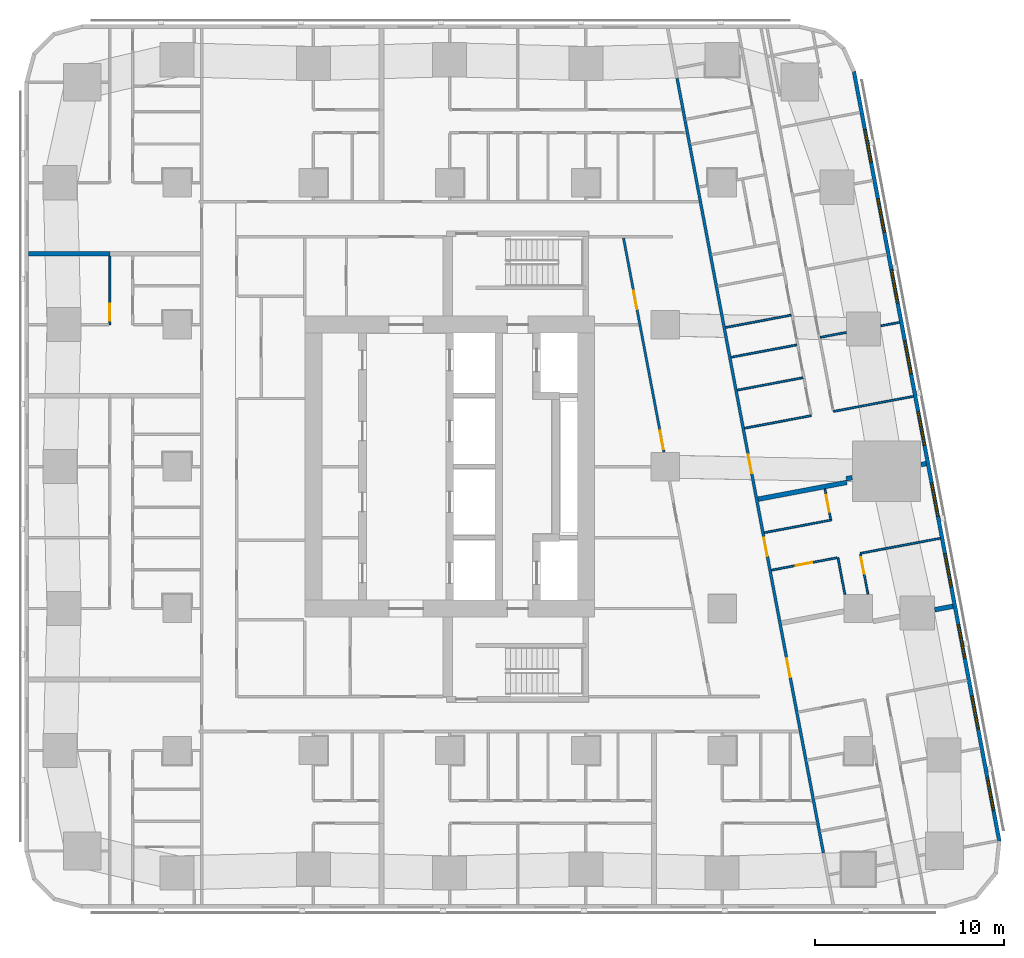
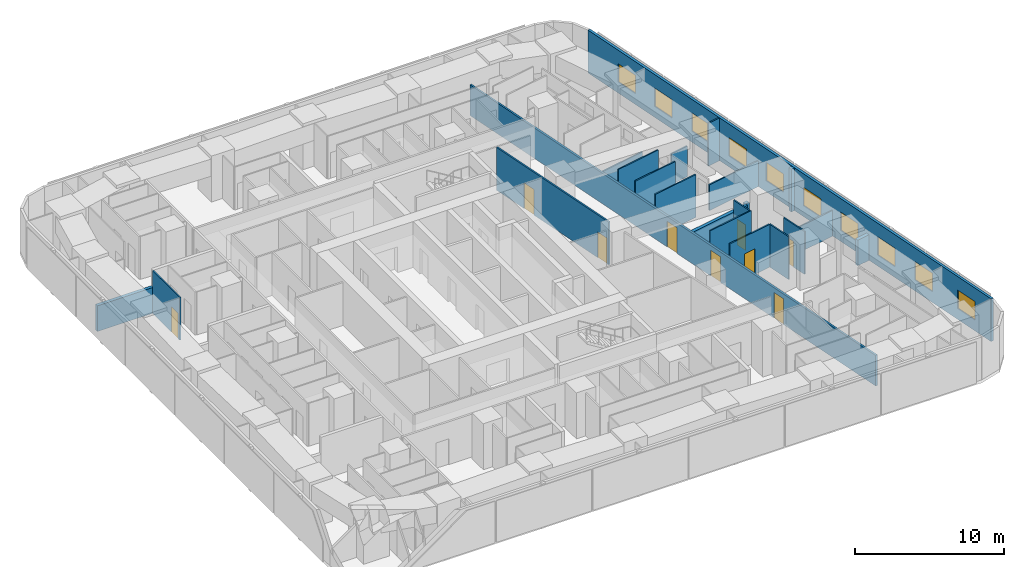
# One storey, part 8 of 15: 22 walls, 10 windows, 9 doors, 19 openings.
"""IFC4 building model written with IfcOpenShell, lengths in metres."""

from ifc_helpers import new_model, si_unit, direction, frame, frame_2d, origin, place, context, subcontext, project, spatial, rectangle, extrude, material, layer, layer_set, type_object, element, fill, save


model = new_model("IFC4")

# Units and contexts
model_context = context("Model", 3, precision=1e-05, world=origin(), true_north=direction((0.0, 1.0)))
body_context = subcontext(model_context, "Body", "Model", "MODEL_VIEW")
ifc_project = project(units=[si_unit("LENGTHUNIT", "METRE"), si_unit("AREAUNIT", "SQUARE_METRE"), si_unit("VOLUMEUNIT", "CUBIC_METRE"), si_unit("PLANEANGLEUNIT", "RADIAN"), si_unit("MASSUNIT", "GRAM", prefix="KILO")], contexts=[model_context])

# Site, building, storey
site_placement = place(None, origin())
site = spatial("IfcSite", under=ifc_project, at=site_placement, CompositionType="ELEMENT")
building_placement = place(site_placement, origin())
building = spatial("IfcBuilding", under=site, at=building_placement, Name="Sheger Commons Tower", CompositionType="ELEMENT")
storey_placement = place(building_placement, frame((0.0, 0.0, 143.300048828125)))
storey = spatial("IfcBuildingStorey", under=building, at=storey_placement, Name="L36", CompositionType="ELEMENT", Elevation=143.300048828125)

# Wall, openings, doors
ifc_material_1 = material(Name="Hollow concrete block masonry, skimmed both sides", Category="masonry")
ifc_layer_1 = layer(ifc_material_1, 0.14990234375)
ifc_layer_set_1 = layer_set([ifc_layer_1], Name="CORRIDOR WALL 150")
wall_type_1 = type_object("IfcWallType", Name="CORRIDOR WALL 150", PredefinedType="SOLIDWALL", material=ifc_layer_set_1)
wall_1_placement = place(storey_placement, frame((33.623046875, 43.02197265625, 0.0), z_axis=(0.0, 0.0, 1.0), x_axis=(0.185596841028, -0.98262597798, 0.0)))
wall_1 = element("IfcWall", 1, at=wall_1_placement, inside=storey, type_object=wall_type_1, Name="Corridor wall L36", PredefinedType="SOLIDWALL", context=body_context, shape_type="SweptSolid", body=[
    extrude(rectangle(XDim=41.659912109375, YDim=0.14990234375, at=frame_2d((20.830078125, 0.0))), origin(), (0.0, 0.0, 1.0), 2.5),
])
opening_1_placement = place(wall_1_placement, frame((20.241943359375, 0.0, 0.0)))
opening_1 = element("IfcOpeningElement", 2, at=opening_1_placement, cuts=wall_1, Name="Opening D1", PredefinedType="OPENING", context=body_context, shape_type="SweptSolid", body=[
    extrude(rectangle(XDim=1.0, YDim=2.10009765625, at=frame_2d((0.5, 1.050048828125))), frame((0.0, 0.0849609375, 0.0), z_axis=(0.0, -1.0, 0.0), x_axis=(1.0, 0.0, 0.0)), (0.0, 0.0, 1.0), 0.169921875),
])
opening_2_placement = place(wall_1_placement, frame((24.714111328125, 0.0, 0.0)))
opening_2 = element("IfcOpeningElement", 3, at=opening_2_placement, cuts=wall_1, Name="Opening D1", PredefinedType="OPENING", context=body_context, shape_type="SweptSolid", body=[
    extrude(rectangle(XDim=1.0, YDim=2.10009765625, at=frame_2d((0.5, 1.050048828125))), frame((0.0, 0.0849609375, 0.0), z_axis=(0.0, -1.0, 0.0), x_axis=(1.0, 0.0, 0.0)), (0.0, 0.0, 1.0), 0.169921875),
])
opening_3_placement = place(wall_1_placement, frame((31.2060546875, 0.0, 0.0)))
opening_3 = element("IfcOpeningElement", 4, at=opening_3_placement, cuts=wall_1, Name="Opening D1", PredefinedType="OPENING", context=body_context, shape_type="SweptSolid", body=[
    extrude(rectangle(XDim=1.0, YDim=2.10009765625, at=frame_2d((0.5, 1.050048828125))), frame((0.0, 0.0849609375, 0.0), z_axis=(0.0, -1.0, 0.0), x_axis=(1.0, 0.0, 0.0)), (0.0, 0.0, 1.0), 0.169921875),
])
ifc_material_2 = material(Name="Steel door set, fire rated", Category="steel")
door_type_1 = type_object("IfcDoorType", Name="FLAT ENTRANCE DOOR 1000x2100", OperationType="NOTDEFINED", PredefinedType="DOOR", material=ifc_material_2)
door_1_placement = place(opening_1_placement, origin())
door_1 = element("IfcDoor", 5, at=door_1_placement, inside=storey, type_object=door_type_1, Name="Flat entrance door", OperationType="SINGLE_SWING_RIGHT", OverallHeight=2.10009765625, OverallWidth=1.0, PredefinedType="DOOR", context=body_context, shape_type="SweptSolid", body=[
    extrude(rectangle(XDim=1.0, YDim=2.10009765625, at=frame_2d((0.5, 1.050048828125))), frame((0.0, 0.02490234375, 0.0), z_axis=(0.0, -1.0, 0.0), x_axis=(1.0, 0.0, 0.0)), (0.0, 0.0, 1.0), 0.050048828125),
])
fill(opening_1, door_1)
door_2_placement = place(opening_2_placement, origin())
door_2 = element("IfcDoor", 6, at=door_2_placement, inside=storey, type_object=door_type_1, Name="Flat entrance door", OperationType="SINGLE_SWING_LEFT", OverallHeight=2.10009765625, OverallWidth=1.0, PredefinedType="DOOR", context=body_context, shape_type="SweptSolid", body=[
    extrude(rectangle(XDim=1.0, YDim=2.10009765625, at=frame_2d((0.5, 1.050048828125))), frame((0.0, 0.02490234375, 0.0), z_axis=(0.0, -1.0, 0.0), x_axis=(1.0, 0.0, 0.0)), (0.0, 0.0, 1.0), 0.050048828125),
])
fill(opening_2, door_2)
door_3_placement = place(opening_3_placement, origin())
door_3 = element("IfcDoor", 7, at=door_3_placement, inside=storey, type_object=door_type_1, Name="Flat entrance door", OperationType="SINGLE_SWING_LEFT", OverallHeight=2.10009765625, OverallWidth=1.0, PredefinedType="DOOR", context=body_context, shape_type="SweptSolid", body=[
    extrude(rectangle(XDim=1.0, YDim=2.10009765625, at=frame_2d((0.5, 1.050048828125))), frame((0.0, 0.02490234375, 0.0), z_axis=(0.0, -1.0, 0.0), x_axis=(1.0, 0.0, 0.0)), (0.0, 0.0, 1.0), 0.050048828125),
])
fill(opening_3, door_3)

# Walls
ifc_material_3 = material(Name="Dense concrete block masonry, plastered both sides (separating wall between flats)", Category="masonry")
ifc_layer_2 = layer(ifc_material_3, 0.25)
ifc_layer_set_2 = layer_set([ifc_layer_2], Name="DEMISING WALL 250")
wall_type_2 = type_object("IfcWallType", Name="DEMISING WALL 250", PredefinedType="SOLIDWALL", material=ifc_layer_set_2)
wall_2_placement = place(storey_placement, frame((-0.64990234375, 33.75, 0.0), z_axis=(0.0, 0.0, 1.0), x_axis=(1.0, 0.0, 0.0)))
element("IfcWall", 8, at=wall_2_placement, inside=storey, type_object=wall_type_2, Name="Demising wall L36", PredefinedType="SOLIDWALL", context=body_context, shape_type="SweptSolid", body=[
    extrude(rectangle(XDim=4.2998046875, YDim=0.25, at=frame_2d((2.14990234375, 0.0))), origin(), (0.0, 0.0, 1.0), 2.099853515625),
])
wall_3_placement = place(storey_placement, frame((46.781982421875, 22.656982421875, 0.0), z_axis=(0.0, 0.0, 1.0), x_axis=(-0.982104607121, -0.188336243648, 0.0)))
element("IfcWall", 9, at=wall_3_placement, inside=storey, type_object=wall_type_2, Name="Demising wall L36", PredefinedType="SOLIDWALL", context=body_context, shape_type="SweptSolid", body=[
    extrude(rectangle(XDim=0.265625, YDim=0.25, at=frame_2d((0.1328125, 0.0))), origin(), (0.0, 0.0, 1.0), 3.5),
])
wall_4_placement = place(storey_placement, frame((42.873046875, 21.91796875, 0.0), z_axis=(0.0, 0.0, 1.0), x_axis=(-0.982431406936, -0.186624035603, 0.0)))
element("IfcWall", 10, at=wall_4_placement, inside=storey, type_object=wall_type_2, Name="Demising wall L36", PredefinedType="SOLIDWALL", context=body_context, shape_type="SweptSolid", body=[
    extrude(rectangle(XDim=0.32177734375, YDim=0.25, at=frame_2d((0.160888671875, 0.0))), origin(), (0.0, 0.0, 1.0), 2.5),
])
wall_5_placement = place(storey_placement, frame((42.593017578125, 21.6650390625, 0.0), z_axis=(0.0, 0.0, 1.0), x_axis=(-0.982635807605, -0.185544791394, 0.0)))
element("IfcWall", 11, at=wall_5_placement, inside=storey, type_object=wall_type_2, Name="Demising wall L36", PredefinedType="SOLIDWALL", context=body_context, shape_type="SweptSolid", body=[
    extrude(rectangle(XDim=4.775146484375, YDim=0.25, at=frame_2d((2.3876953125, 0.0))), origin(), (0.0, 0.0, 1.0), 2.5),
])
wall_6_placement = place(storey_placement, frame((48.2060546875, 15.1201171875, 0.0), z_axis=(0.0, 0.0, 1.0), x_axis=(-0.982576361834, -0.185859337043, 0.0)))
element("IfcWall", 12, at=wall_6_placement, inside=storey, type_object=wall_type_2, Name="Demising wall L36", PredefinedType="SOLIDWALL", context=body_context, shape_type="SweptSolid", body=[
    extrude(rectangle(XDim=0.985107421875, YDim=0.25, at=frame_2d((0.49267578125, 0.0))), origin(), (0.0, 0.0, 1.0), 2.099853515625),
])

# Wall, openings, windows
ifc_material_4 = material(Name="Rendered concrete block masonry, dark grey", Category="masonry")
ifc_layer_3 = layer(ifc_material_4, 0.199951171875)
ifc_layer_set_3 = layer_set([ifc_layer_3], Name="FACADE WALL 200")
wall_type_3 = type_object("IfcWallType", Name="FACADE WALL 200", PredefinedType="SOLIDWALL", material=ifc_layer_set_3)
wall_7_placement = place(storey_placement, frame((50.653076171875, 2.702880859375, 0.0), z_axis=(0.0, 0.0, 1.0), x_axis=(-0.185612026696, 0.982623109613, 0.0)))
wall_7 = element("IfcWall", 13, at=wall_7_placement, inside=storey, type_object=wall_type_3, Name="Facade wall L36", PredefinedType="SOLIDWALL", context=body_context, shape_type="SweptSolid", body=[
    extrude(rectangle(XDim=41.393310546875, YDim=0.199951171875, at=frame_2d((20.69677734375, 0.0))), origin(), (0.0, 0.0, 1.0), 3.5),
])
opening_4_placement = place(wall_7_placement, frame((1.633056640625, 0.0, 0.89990234375)))
opening_4 = element("IfcOpeningElement", 14, at=opening_4_placement, cuts=wall_7, Name="Opening W2", PredefinedType="OPENING", context=body_context, shape_type="SweptSolid", body=[
    extrude(rectangle(XDim=1.800048828125, YDim=1.5, at=frame_2d((0.89990234375, 0.75))), frame((0.0, 0.10986328125, 0.0), z_axis=(0.0, -1.0, 0.0), x_axis=(1.0, 0.0, 0.0)), (0.0, 0.0, 1.0), 0.219970703125),
])
opening_5_placement = place(wall_7_placement, frame((6.031982421875, 0.0, 0.89990234375)))
opening_5 = element("IfcOpeningElement", 15, at=opening_5_placement, cuts=wall_7, Name="Opening W2", PredefinedType="OPENING", context=body_context, shape_type="SweptSolid", body=[
    extrude(rectangle(XDim=1.800048828125, YDim=1.5, at=frame_2d((0.89990234375, 0.75))), frame((0.0, 0.10986328125, 0.0), z_axis=(0.0, -1.0, 0.0), x_axis=(1.0, 0.0, 0.0)), (0.0, 0.0, 1.0), 0.219970703125),
])
opening_6_placement = place(wall_7_placement, frame((9.847900390625, 0.0, 0.89990234375)))
opening_6 = element("IfcOpeningElement", 16, at=opening_6_placement, cuts=wall_7, Name="Opening W2", PredefinedType="OPENING", context=body_context, shape_type="SweptSolid", body=[
    extrude(rectangle(XDim=1.800048828125, YDim=1.5, at=frame_2d((0.89990234375, 0.75))), frame((0.0, 0.10986328125, 0.0), z_axis=(0.0, -1.0, 0.0), x_axis=(1.0, 0.0, 0.0)), (0.0, 0.0, 1.0), 0.219970703125),
])
opening_7_placement = place(wall_7_placement, frame((13.6640625, 0.0, 0.89990234375)))
opening_7 = element("IfcOpeningElement", 17, at=opening_7_placement, cuts=wall_7, Name="Opening W2", PredefinedType="OPENING", context=body_context, shape_type="SweptSolid", body=[
    extrude(rectangle(XDim=1.800048828125, YDim=1.5, at=frame_2d((0.89990234375, 0.75))), frame((0.0, 0.10986328125, 0.0), z_axis=(0.0, -1.0, 0.0), x_axis=(1.0, 0.0, 0.0)), (0.0, 0.0, 1.0), 0.219970703125),
])
opening_8_placement = place(wall_7_placement, frame((17.48095703125, 0.0, 0.89990234375)))
opening_8 = element("IfcOpeningElement", 18, at=opening_8_placement, cuts=wall_7, Name="Opening W2", PredefinedType="OPENING", context=body_context, shape_type="SweptSolid", body=[
    extrude(rectangle(XDim=1.800048828125, YDim=1.5, at=frame_2d((0.89990234375, 0.75))), frame((0.0, 0.10986328125, 0.0), z_axis=(0.0, -1.0, 0.0), x_axis=(1.0, 0.0, 0.0)), (0.0, 0.0, 1.0), 0.219970703125),
])
opening_9_placement = place(wall_7_placement, frame((21.297119140625, 0.0, 0.89990234375)))
opening_9 = element("IfcOpeningElement", 19, at=opening_9_placement, cuts=wall_7, Name="Opening W2", PredefinedType="OPENING", context=body_context, shape_type="SweptSolid", body=[
    extrude(rectangle(XDim=1.800048828125, YDim=1.5, at=frame_2d((0.89990234375, 0.75))), frame((0.0, 0.10986328125, 0.0), z_axis=(0.0, -1.0, 0.0), x_axis=(1.0, 0.0, 0.0)), (0.0, 0.0, 1.0), 0.219970703125),
])
opening_10_placement = place(wall_7_placement, frame((25.113037109375, 0.0, 0.89990234375)))
opening_10 = element("IfcOpeningElement", 20, at=opening_10_placement, cuts=wall_7, Name="Opening W2", PredefinedType="OPENING", context=body_context, shape_type="SweptSolid", body=[
    extrude(rectangle(XDim=1.800048828125, YDim=1.5, at=frame_2d((0.89990234375, 0.75))), frame((0.0, 0.10986328125, 0.0), z_axis=(0.0, -1.0, 0.0), x_axis=(1.0, 0.0, 0.0)), (0.0, 0.0, 1.0), 0.219970703125),
])
opening_11_placement = place(wall_7_placement, frame((28.929931640625, 0.0, 0.89990234375)))
opening_11 = element("IfcOpeningElement", 21, at=opening_11_placement, cuts=wall_7, Name="Opening W2", PredefinedType="OPENING", context=body_context, shape_type="SweptSolid", body=[
    extrude(rectangle(XDim=1.800048828125, YDim=1.5, at=frame_2d((0.89990234375, 0.75))), frame((0.0, 0.10986328125, 0.0), z_axis=(0.0, -1.0, 0.0), x_axis=(1.0, 0.0, 0.0)), (0.0, 0.0, 1.0), 0.219970703125),
])
opening_12_placement = place(wall_7_placement, frame((32.74609375, 0.0, 0.89990234375)))
opening_12 = element("IfcOpeningElement", 22, at=opening_12_placement, cuts=wall_7, Name="Opening W2", PredefinedType="OPENING", context=body_context, shape_type="SweptSolid", body=[
    extrude(rectangle(XDim=1.800048828125, YDim=1.5, at=frame_2d((0.89990234375, 0.75))), frame((0.0, 0.10986328125, 0.0), z_axis=(0.0, -1.0, 0.0), x_axis=(1.0, 0.0, 0.0)), (0.0, 0.0, 1.0), 0.219970703125),
])
opening_13_placement = place(wall_7_placement, frame((36.48095703125, 0.0, 0.89990234375)))
opening_13 = element("IfcOpeningElement", 23, at=opening_13_placement, cuts=wall_7, Name="Opening W2", PredefinedType="OPENING", context=body_context, shape_type="SweptSolid", body=[
    extrude(rectangle(XDim=1.800048828125, YDim=1.5, at=frame_2d((0.89990234375, 0.75))), frame((0.0, 0.10986328125, 0.0), z_axis=(0.0, -1.0, 0.0), x_axis=(1.0, 0.0, 0.0)), (0.0, 0.0, 1.0), 0.219970703125),
])
ifc_material_5 = material(Name="Black aluminium frame, dark tinted double glazing", Category="aluminium")
window_type = type_object("IfcWindowType", Name="WINDOW W2 1800x1500", PartitioningType="SINGLE_PANEL", PredefinedType="WINDOW", material=ifc_material_5)
window_1_placement = place(opening_4_placement, origin())
window_1 = element("IfcWindow", 24, at=window_1_placement, inside=storey, type_object=window_type, Name="Window W2 1800X1500", OverallHeight=1.5, OverallWidth=1.800048828125, PartitioningType="SINGLE_PANEL", PredefinedType="WINDOW", context=body_context, shape_type="SweptSolid", body=[
    extrude(rectangle(XDim=1.800048828125, YDim=1.5, at=frame_2d((0.89990234375, 0.75))), frame((0.0, 0.030029296875, 0.0), z_axis=(0.0, -1.0, 0.0), x_axis=(1.0, 0.0, 0.0)), (0.0, 0.0, 1.0), 0.06005859375),
])
fill(opening_4, window_1)
window_2_placement = place(opening_5_placement, origin())
window_2 = element("IfcWindow", 25, at=window_2_placement, inside=storey, type_object=window_type, Name="Window W2 1800X1500", OverallHeight=1.5, OverallWidth=1.800048828125, PartitioningType="SINGLE_PANEL", PredefinedType="WINDOW", context=body_context, shape_type="SweptSolid", body=[
    extrude(rectangle(XDim=1.800048828125, YDim=1.5, at=frame_2d((0.89990234375, 0.75))), frame((0.0, 0.030029296875, 0.0), z_axis=(0.0, -1.0, 0.0), x_axis=(1.0, 0.0, 0.0)), (0.0, 0.0, 1.0), 0.06005859375),
])
fill(opening_5, window_2)
window_3_placement = place(opening_6_placement, origin())
window_3 = element("IfcWindow", 26, at=window_3_placement, inside=storey, type_object=window_type, Name="Window W2 1800X1500", OverallHeight=1.5, OverallWidth=1.800048828125, PartitioningType="SINGLE_PANEL", PredefinedType="WINDOW", context=body_context, shape_type="SweptSolid", body=[
    extrude(rectangle(XDim=1.800048828125, YDim=1.5, at=frame_2d((0.89990234375, 0.75))), frame((0.0, 0.030029296875, 0.0), z_axis=(0.0, -1.0, 0.0), x_axis=(1.0, 0.0, 0.0)), (0.0, 0.0, 1.0), 0.06005859375),
])
fill(opening_6, window_3)
window_4_placement = place(opening_7_placement, origin())
window_4 = element("IfcWindow", 27, at=window_4_placement, inside=storey, type_object=window_type, Name="Window W2 1800X1500", OverallHeight=1.5, OverallWidth=1.800048828125, PartitioningType="SINGLE_PANEL", PredefinedType="WINDOW", context=body_context, shape_type="SweptSolid", body=[
    extrude(rectangle(XDim=1.800048828125, YDim=1.5, at=frame_2d((0.89990234375, 0.75))), frame((0.0, 0.030029296875, 0.0), z_axis=(0.0, -1.0, 0.0), x_axis=(1.0, 0.0, 0.0)), (0.0, 0.0, 1.0), 0.06005859375),
])
fill(opening_7, window_4)
window_5_placement = place(opening_8_placement, origin())
window_5 = element("IfcWindow", 28, at=window_5_placement, inside=storey, type_object=window_type, Name="Window W2 1800X1500", OverallHeight=1.5, OverallWidth=1.800048828125, PartitioningType="SINGLE_PANEL", PredefinedType="WINDOW", context=body_context, shape_type="SweptSolid", body=[
    extrude(rectangle(XDim=1.800048828125, YDim=1.5, at=frame_2d((0.89990234375, 0.75))), frame((0.0, 0.030029296875, 0.0), z_axis=(0.0, -1.0, 0.0), x_axis=(1.0, 0.0, 0.0)), (0.0, 0.0, 1.0), 0.06005859375),
])
fill(opening_8, window_5)
window_6_placement = place(opening_9_placement, origin())
window_6 = element("IfcWindow", 29, at=window_6_placement, inside=storey, type_object=window_type, Name="Window W2 1800X1500", OverallHeight=1.5, OverallWidth=1.800048828125, PartitioningType="SINGLE_PANEL", PredefinedType="WINDOW", context=body_context, shape_type="SweptSolid", body=[
    extrude(rectangle(XDim=1.800048828125, YDim=1.5, at=frame_2d((0.89990234375, 0.75))), frame((0.0, 0.030029296875, 0.0), z_axis=(0.0, -1.0, 0.0), x_axis=(1.0, 0.0, 0.0)), (0.0, 0.0, 1.0), 0.06005859375),
])
fill(opening_9, window_6)
window_7_placement = place(opening_10_placement, origin())
window_7 = element("IfcWindow", 30, at=window_7_placement, inside=storey, type_object=window_type, Name="Window W2 1800X1500", OverallHeight=1.5, OverallWidth=1.800048828125, PartitioningType="SINGLE_PANEL", PredefinedType="WINDOW", context=body_context, shape_type="SweptSolid", body=[
    extrude(rectangle(XDim=1.800048828125, YDim=1.5, at=frame_2d((0.89990234375, 0.75))), frame((0.0, 0.030029296875, 0.0), z_axis=(0.0, -1.0, 0.0), x_axis=(1.0, 0.0, 0.0)), (0.0, 0.0, 1.0), 0.06005859375),
])
fill(opening_10, window_7)
window_8_placement = place(opening_11_placement, origin())
window_8 = element("IfcWindow", 31, at=window_8_placement, inside=storey, type_object=window_type, Name="Window W2 1800X1500", OverallHeight=1.5, OverallWidth=1.800048828125, PartitioningType="SINGLE_PANEL", PredefinedType="WINDOW", context=body_context, shape_type="SweptSolid", body=[
    extrude(rectangle(XDim=1.800048828125, YDim=1.5, at=frame_2d((0.89990234375, 0.75))), frame((0.0, 0.030029296875, 0.0), z_axis=(0.0, -1.0, 0.0), x_axis=(1.0, 0.0, 0.0)), (0.0, 0.0, 1.0), 0.06005859375),
])
fill(opening_11, window_8)
window_9_placement = place(opening_12_placement, origin())
window_9 = element("IfcWindow", 32, at=window_9_placement, inside=storey, type_object=window_type, Name="Window W2 1800X1500", OverallHeight=1.5, OverallWidth=1.800048828125, PartitioningType="SINGLE_PANEL", PredefinedType="WINDOW", context=body_context, shape_type="SweptSolid", body=[
    extrude(rectangle(XDim=1.800048828125, YDim=1.5, at=frame_2d((0.89990234375, 0.75))), frame((0.0, 0.030029296875, 0.0), z_axis=(0.0, -1.0, 0.0), x_axis=(1.0, 0.0, 0.0)), (0.0, 0.0, 1.0), 0.06005859375),
])
fill(opening_12, window_9)
window_10_placement = place(opening_13_placement, origin())
window_10 = element("IfcWindow", 33, at=window_10_placement, inside=storey, type_object=window_type, Name="Window W2 1800X1500", OverallHeight=1.5, OverallWidth=1.800048828125, PartitioningType="SINGLE_PANEL", PredefinedType="WINDOW", context=body_context, shape_type="SweptSolid", body=[
    extrude(rectangle(XDim=1.800048828125, YDim=1.5, at=frame_2d((0.89990234375, 0.75))), frame((0.0, 0.030029296875, 0.0), z_axis=(0.0, -1.0, 0.0), x_axis=(1.0, 0.0, 0.0)), (0.0, 0.0, 1.0), 0.06005859375),
])
fill(opening_13, window_10)

# Wall, opening, door
ifc_material_6 = material(Name="Gypsum board on steel studs", Category="steel")
ifc_layer_4 = layer(ifc_material_6, 0.10009765625)
ifc_layer_set_4 = layer_set([ifc_layer_4], Name="PARTITION 100")
wall_type_4 = type_object("IfcWallType", Name="PARTITION 100", PredefinedType="PARTITIONING", material=ifc_layer_set_4)
wall_8_placement = place(storey_placement, frame((3.64990234375, 30.0, 0.0), z_axis=(0.0, 0.0, 1.0), x_axis=(0.0, 1.0, 0.0)))
wall_8 = element("IfcWall", 34, at=wall_8_placement, inside=storey, type_object=wall_type_4, Name="Partition L36", PredefinedType="PARTITIONING", context=body_context, shape_type="SweptSolid", body=[
    extrude(rectangle(XDim=3.625, YDim=0.10009765625, at=frame_2d((1.8125, 0.0))), origin(), (0.0, 0.0, 1.0), 3.5),
])
opening_14_placement = place(wall_8_placement, frame((0.199951171875, 0.0, 0.0)))
opening_14 = element("IfcOpeningElement", 35, at=opening_14_placement, cuts=wall_8, Name="Opening D2", PredefinedType="OPENING", context=body_context, shape_type="SweptSolid", body=[
    extrude(rectangle(XDim=0.89990234375, YDim=2.10009765625, at=frame_2d((0.449951171875, 1.050048828125))), frame((0.0, 0.06005859375, 0.0), z_axis=(0.0, -1.0, 0.0), x_axis=(1.0, 0.0, 0.0)), (0.0, 0.0, 1.0), 0.1201171875),
])
ifc_material_7 = material(Name="Timber door set", Category="wood")
door_type_2 = type_object("IfcDoorType", Name="INTERNAL DOOR 900x2100", OperationType="NOTDEFINED", PredefinedType="DOOR", material=ifc_material_7)
door_4_placement = place(opening_14_placement, origin())
door_4 = element("IfcDoor", 36, at=door_4_placement, inside=storey, type_object=door_type_2, Name="Main bedroom door", OperationType="SINGLE_SWING_LEFT", OverallHeight=2.10009765625, OverallWidth=0.89990234375, PredefinedType="DOOR", context=body_context, shape_type="SweptSolid", body=[
    extrude(rectangle(XDim=0.89990234375, YDim=2.10009765625, at=frame_2d((0.449951171875, 1.050048828125))), frame((0.0, 0.02490234375, 0.0), z_axis=(0.0, -1.0, 0.0), x_axis=(1.0, 0.0, 0.0)), (0.0, 0.0, 1.0), 0.050048828125),
])
fill(opening_14, door_4)

# Walls
wall_9_placement = place(storey_placement, frame((45.3720703125, 30.12109375, 0.0), z_axis=(0.0, 0.0, 1.0), x_axis=(-0.982708646087, -0.185158626332, 0.0)))
element("IfcWall", 37, at=wall_9_placement, inside=storey, type_object=wall_type_4, Name="Partition L36", PredefinedType="PARTITIONING", context=body_context, shape_type="SweptSolid", body=[
    extrude(rectangle(XDim=0.99951171875, YDim=0.10009765625, at=frame_2d((0.499755859375, 0.0))), origin(), (0.0, 0.0, 1.0), 3.5),
])
wall_10_placement = place(storey_placement, frame((42.570068359375, 29.592041015625, 0.0), z_axis=(0.0, 0.0, 1.0), x_axis=(-0.982562488259, -0.185932667021, 0.0)))
element("IfcWall", 38, at=wall_10_placement, inside=storey, type_object=wall_type_4, Name="Partition L36", PredefinedType="PARTITIONING", context=body_context, shape_type="SweptSolid", body=[
    extrude(rectangle(XDim=1.3984375, YDim=0.10009765625, at=frame_2d((0.69921875, 0.0))), origin(), (0.0, 0.0, 1.0), 2.5),
])
wall_11_placement = place(storey_placement, frame((46.110107421875, 26.212890625, 0.0), z_axis=(0.0, 0.0, 1.0), x_axis=(-0.982633535512, -0.185556823879, 0.0)))
element("IfcWall", 39, at=wall_11_placement, inside=storey, type_object=wall_type_4, Name="Partition L36", PredefinedType="PARTITIONING", context=body_context, shape_type="SweptSolid", body=[
    extrude(rectangle(XDim=4.2998046875, YDim=0.10009765625, at=frame_2d((2.14990234375, 0.0))), origin(), (0.0, 0.0, 1.0), 2.099853515625),
])
wall_12_placement = place(storey_placement, frame((39.947998046875, 28.931884765625, 0.0), z_axis=(0.0, 0.0, 1.0), x_axis=(-0.98265117712, -0.185463376723, 0.0)))
element("IfcWall", 40, at=wall_12_placement, inside=storey, type_object=wall_type_4, Name="Partition L36", PredefinedType="PARTITIONING", context=body_context, shape_type="SweptSolid", body=[
    extrude(rectangle(XDim=3.525390625, YDim=0.10009765625, at=frame_2d((1.7626953125, 0.0))), origin(), (0.0, 0.0, 1.0), 3.5),
])
wall_13_placement = place(storey_placement, frame((40.7060546875, 25.19189453125, 0.0), z_axis=(0.0, 0.0, 1.0), x_axis=(-0.982610675728, -0.185677839134, 0.0)))
element("IfcWall", 41, at=wall_13_placement, inside=storey, type_object=wall_type_4, Name="Partition L36", PredefinedType="PARTITIONING", context=body_context, shape_type="SweptSolid", body=[
    extrude(rectangle(XDim=3.5751953125, YDim=0.10009765625, at=frame_2d((1.78759765625, 0.0))), origin(), (0.0, 0.0, 1.0), 3.5),
])
wall_14_placement = place(storey_placement, frame((40.27587890625, 27.197021484375, 0.0), z_axis=(0.0, 0.0, 1.0), x_axis=(-0.982636169624, -0.185542874149, 0.0)))
element("IfcWall", 42, at=wall_14_placement, inside=storey, type_object=wall_type_4, Name="Partition L36", PredefinedType="PARTITIONING", context=body_context, shape_type="SweptSolid", body=[
    extrude(rectangle(XDim=3.525146484375, YDim=0.10009765625, at=frame_2d((1.7626953125, 0.0))), origin(), (0.0, 0.0, 1.0), 3.5),
])
wall_15_placement = place(storey_placement, frame((39.65087890625, 30.50390625, 0.0), z_axis=(0.0, 0.0, 1.0), x_axis=(-0.98263926043, -0.185526504472, 0.0)))
element("IfcWall", 43, at=wall_15_placement, inside=storey, type_object=wall_type_4, Name="Partition L36", PredefinedType="PARTITIONING", context=body_context, shape_type="SweptSolid", body=[
    extrude(rectangle(XDim=3.524169921875, YDim=0.10009765625, at=frame_2d((1.76220703125, 0.0))), origin(), (0.0, 0.0, 1.0), 2.5),
])

# Wall, opening, door
wall_16_placement = place(storey_placement, frame((41.43701171875, 21.319091796875, 0.0), z_axis=(0.0, 0.0, 1.0), x_axis=(0.185793689589, -0.982588777113, 0.0)))
wall_16 = element("IfcWall", 44, at=wall_16_placement, inside=storey, type_object=wall_type_4, Name="Partition L36", PredefinedType="PARTITIONING", context=body_context, shape_type="SweptSolid", body=[
    extrude(rectangle(XDim=1.62548828125, YDim=0.10009765625, at=frame_2d((0.812744140625, 0.0))), origin(), (0.0, 0.0, 1.0), 3.5),
])
opening_15_placement = place(wall_16_placement, frame((0.324951171875, 0.0, 0.0)))
opening_15 = element("IfcOpeningElement", 45, at=opening_15_placement, cuts=wall_16, Name="Opening D2", PredefinedType="OPENING", context=body_context, shape_type="SweptSolid", body=[
    extrude(rectangle(XDim=0.89990234375, YDim=2.10009765625, at=frame_2d((0.449951171875, 1.050048828125))), frame((0.0, 0.06005859375, 0.0), z_axis=(0.0, -1.0, 0.0), x_axis=(1.0, 0.0, 0.0)), (0.0, 0.0, 1.0), 0.1201171875),
])
door_5_placement = place(opening_15_placement, origin())
door_5 = element("IfcDoor", 46, at=door_5_placement, inside=storey, type_object=door_type_2, Name="Shower room door", OperationType="SINGLE_SWING_RIGHT", OverallHeight=2.10009765625, OverallWidth=0.89990234375, PredefinedType="DOOR", context=body_context, shape_type="SweptSolid", body=[
    extrude(rectangle(XDim=0.89990234375, YDim=2.10009765625, at=frame_2d((0.449951171875, 1.050048828125))), frame((0.0, 0.02490234375, 0.0), z_axis=(0.0, -1.0, 0.0), x_axis=(1.0, 0.0, 0.0)), (0.0, 0.0, 1.0), 0.050048828125),
])
fill(opening_15, door_5)

# Wall
wall_17_placement = place(storey_placement, frame((41.798095703125, 19.681884765625, 0.0), z_axis=(0.0, 0.0, 1.0), x_axis=(-0.982681091817, -0.185304807776, 0.0)))
element("IfcWall", 47, at=wall_17_placement, inside=storey, type_object=wall_type_4, Name="Partition L36", PredefinedType="PARTITIONING", context=body_context, shape_type="SweptSolid", body=[
    extrude(rectangle(XDim=3.625732421875, YDim=0.10009765625, at=frame_2d((1.81298828125, 0.0))), origin(), (0.0, 0.0, 1.0), 3.5),
])

# Wall, opening, door
wall_18_placement = place(storey_placement, frame((43.31103515625, 17.864990234375, 0.0), z_axis=(0.0, 0.0, 1.0), x_axis=(0.185760825203, -0.982594990736, 0.0)))
wall_18 = element("IfcWall", 48, at=wall_18_placement, inside=storey, type_object=wall_type_4, Name="Partition L36", PredefinedType="PARTITIONING", context=body_context, shape_type="SweptSolid", body=[
    extrude(rectangle(XDim=2.142333984375, YDim=0.10009765625, at=frame_2d((1.0712890625, 0.0))), origin(), (0.0, 0.0, 1.0), 3.5),
])
opening_16_placement = place(wall_18_placement, frame((0.14990234375, 0.0, 0.0)))
opening_16 = element("IfcOpeningElement", 49, at=opening_16_placement, cuts=wall_18, Name="Opening D2", PredefinedType="OPENING", context=body_context, shape_type="SweptSolid", body=[
    extrude(rectangle(XDim=0.89990234375, YDim=2.10009765625, at=frame_2d((0.449951171875, 1.050048828125))), frame((0.0, 0.06005859375, 0.0), z_axis=(0.0, -1.0, 0.0), x_axis=(1.0, 0.0, 0.0)), (0.0, 0.0, 1.0), 0.1201171875),
])
door_6_placement = place(opening_16_placement, origin())
door_6 = element("IfcDoor", 50, at=door_6_placement, inside=storey, type_object=door_type_2, Name="Main bedroom door", OperationType="SINGLE_SWING_LEFT", OverallHeight=2.10009765625, OverallWidth=0.89990234375, PredefinedType="DOOR", context=body_context, shape_type="SweptSolid", body=[
    extrude(rectangle(XDim=0.89990234375, YDim=2.10009765625, at=frame_2d((0.449951171875, 1.050048828125))), frame((0.0, 0.02490234375, 0.0), z_axis=(0.0, -1.0, 0.0), x_axis=(1.0, 0.0, 0.0)), (0.0, 0.0, 1.0), 0.050048828125),
])
fill(opening_16, door_6)

# Walls
wall_19_placement = place(storey_placement, frame((42.123046875, 17.69091796875, 0.0), z_axis=(0.0, 0.0, 1.0), x_axis=(0.185554843339, -0.982633909507, 0.0)))
element("IfcWall", 51, at=wall_19_placement, inside=storey, type_object=wall_type_4, Name="Partition L36", PredefinedType="PARTITIONING", context=body_context, shape_type="SweptSolid", body=[
    extrude(rectangle(XDim=1.967041015625, YDim=0.10009765625, at=frame_2d((0.9833984375, 0.0))), origin(), (0.0, 0.0, 1.0), 3.5),
])
wall_20_placement = place(storey_placement, frame((47.527099609375, 18.7119140625, 0.0), z_axis=(0.0, 0.0, 1.0), x_axis=(-0.982633535512, -0.185556823879, 0.0)))
element("IfcWall", 52, at=wall_20_placement, inside=storey, type_object=wall_type_4, Name="Partition L36", PredefinedType="PARTITIONING", context=body_context, shape_type="SweptSolid", body=[
    extrude(rectangle(XDim=4.2998046875, YDim=0.10009765625, at=frame_2d((2.14990234375, 0.0))), origin(), (0.0, 0.0, 1.0), 2.099853515625),
])

# Wall, opening, door
wall_21_placement = place(storey_placement, frame((42.073974609375, 17.681884765625, 0.0), z_axis=(0.0, 0.0, 1.0), x_axis=(-0.982660701716, -0.185412904897, 0.0)))
wall_21 = element("IfcWall", 53, at=wall_21_placement, inside=storey, type_object=wall_type_4, Name="Partition L36", PredefinedType="PARTITIONING", context=body_context, shape_type="SweptSolid", body=[
    extrude(rectangle(XDim=3.526123046875, YDim=0.10009765625, at=frame_2d((1.76318359375, 0.0))), origin(), (0.0, 0.0, 1.0), 3.5),
])
opening_17_placement = place(wall_21_placement, frame((1.325927734375, 0.0, 0.0)))
opening_17 = element("IfcOpeningElement", 54, at=opening_17_placement, cuts=wall_21, Name="Opening D2", PredefinedType="OPENING", context=body_context, shape_type="SweptSolid", body=[
    extrude(rectangle(XDim=0.89990234375, YDim=2.10009765625, at=frame_2d((0.449951171875, 1.050048828125))), frame((0.0, 0.06005859375, 0.0), z_axis=(0.0, -1.0, 0.0), x_axis=(1.0, 0.0, 0.0)), (0.0, 0.0, 1.0), 0.1201171875),
])
door_7_placement = place(opening_17_placement, origin())
door_7 = element("IfcDoor", 55, at=door_7_placement, inside=storey, type_object=door_type_2, Name="Store door", OperationType="SINGLE_SWING_LEFT", OverallHeight=2.10009765625, OverallWidth=0.89990234375, PredefinedType="DOOR", context=body_context, shape_type="SweptSolid", body=[
    extrude(rectangle(XDim=0.89990234375, YDim=2.10009765625, at=frame_2d((0.449951171875, 1.050048828125))), frame((0.0, 0.02490234375, 0.0), z_axis=(0.0, -1.0, 0.0), x_axis=(1.0, 0.0, 0.0)), (0.0, 0.0, 1.0), 0.050048828125),
])
fill(opening_17, door_7)

# Wall, openings, doors
ifc_material_8 = material(Name="Gypsum board on steel studs, two layers each side, fire rated", Category="steel")
ifc_layer_5 = layer(ifc_material_8, 0.125)
ifc_layer_set_5 = layer_set([ifc_layer_5], Name="SERVICE WALL 125")
wall_type_5 = type_object("IfcWallType", Name="SERVICE WALL 125", PredefinedType="PARTITIONING", material=ifc_layer_set_5)
wall_22_placement = place(storey_placement, frame((32.928955078125, 23.262939453125, 0.0), z_axis=(0.0, 0.0, 1.0), x_axis=(-0.185612234763, 0.982623070311, 0.0)))
wall_22 = element("IfcWall", 56, at=wall_22_placement, inside=storey, type_object=wall_type_5, Name="Service room wall L36", PredefinedType="PARTITIONING", context=body_context, shape_type="SweptSolid", body=[
    extrude(rectangle(XDim=11.512939453125, YDim=0.125, at=frame_2d((5.75634765625, 0.0))), origin(), (0.0, 0.0, 1.0), 3.5),
])
opening_18_placement = place(wall_22_placement, frame((0.14990234375, 0.0, 0.0)))
opening_18 = element("IfcOpeningElement", 57, at=opening_18_placement, cuts=wall_22, Name="Opening D4", PredefinedType="OPENING", context=body_context, shape_type="SweptSolid", body=[
    extrude(rectangle(XDim=1.0, YDim=2.10009765625, at=frame_2d((0.5, 1.050048828125))), frame((0.0, 0.072509765625, 0.0), z_axis=(0.0, -1.0, 0.0), x_axis=(1.0, 0.0, 0.0)), (0.0, 0.0, 1.0), 0.14501953125),
])
opening_19_placement = place(wall_22_placement, frame((7.678955078125, 0.0, 0.0)))
opening_19 = element("IfcOpeningElement", 58, at=opening_19_placement, cuts=wall_22, Name="Opening D4", PredefinedType="OPENING", context=body_context, shape_type="SweptSolid", body=[
    extrude(rectangle(XDim=1.0, YDim=2.10009765625, at=frame_2d((0.5, 1.050048828125))), frame((0.0, 0.072509765625, 0.0), z_axis=(0.0, -1.0, 0.0), x_axis=(1.0, 0.0, 0.0)), (0.0, 0.0, 1.0), 0.14501953125),
])
ifc_material_9 = material(Name="Steel door set, fire rated", Category="steel")
door_type_3 = type_object("IfcDoorType", Name="SERVICE DOOR 1000x2100", OperationType="NOTDEFINED", PredefinedType="DOOR", material=ifc_material_9)
door_8_placement = place(opening_18_placement, origin())
door_8 = element("IfcDoor", 59, at=door_8_placement, inside=storey, type_object=door_type_3, Name="Residents' lounge door", OperationType="SINGLE_SWING_LEFT", OverallHeight=2.10009765625, OverallWidth=1.0, PredefinedType="DOOR", context=body_context, shape_type="SweptSolid", body=[
    extrude(rectangle(XDim=1.0, YDim=2.10009765625, at=frame_2d((0.5, 1.050048828125))), frame((0.0, 0.02490234375, 0.0), z_axis=(0.0, -1.0, 0.0), x_axis=(1.0, 0.0, 0.0)), (0.0, 0.0, 1.0), 0.050048828125),
])
fill(opening_18, door_8)
door_9_placement = place(opening_19_placement, origin())
door_9 = element("IfcDoor", 60, at=door_9_placement, inside=storey, type_object=door_type_3, Name="Linen store door", OperationType="SINGLE_SWING_LEFT", OverallHeight=2.10009765625, OverallWidth=1.0, PredefinedType="DOOR", context=body_context, shape_type="SweptSolid", body=[
    extrude(rectangle(XDim=1.0, YDim=2.10009765625, at=frame_2d((0.5, 1.050048828125))), frame((0.0, 0.02490234375, 0.0), z_axis=(0.0, -1.0, 0.0), x_axis=(1.0, 0.0, 0.0)), (0.0, 0.0, 1.0), 0.050048828125),
])
fill(opening_19, door_9)

save(model, "model.ifc")
